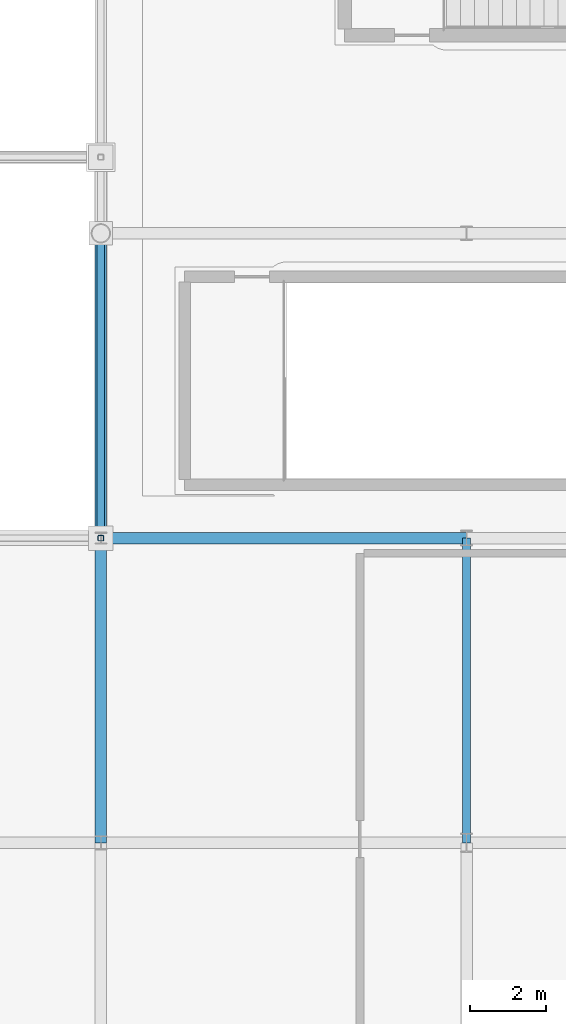
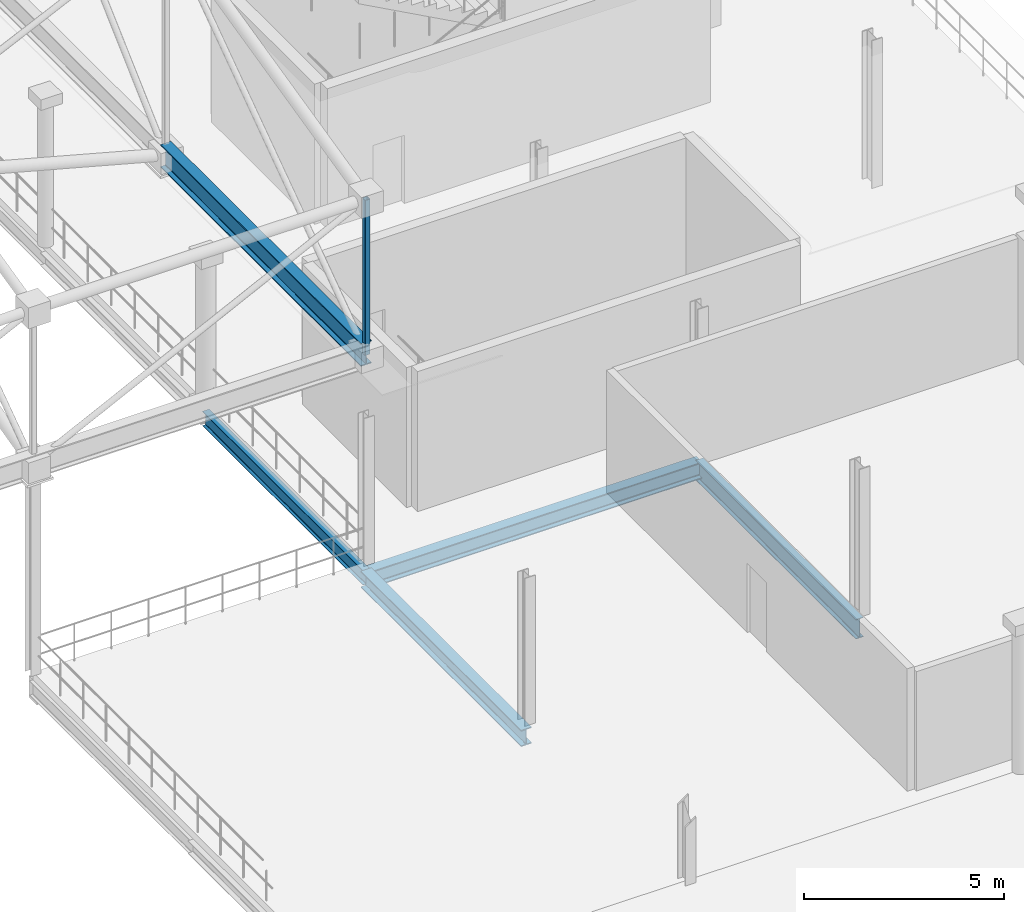
# One storey, part 84 of 193: 5 beams, 1 member.
"""IFC4 building model written with IfcOpenShell, lengths in metres."""

from ifc_helpers import new_model, si_unit, direction, frame, origin, origin_2d, place, context, subcontext, project, spatial, hollow_rectangle, i_section, extrude, material, material_profile, profile_set, type_object, element, save


model = new_model("IFC4")

# Units and contexts
model_context = context("Model", 3, precision=1e-05, world=origin(), true_north=direction((0.0, 1.0)))
body_context = subcontext(model_context, "Body", "Model", "MODEL_VIEW")
ifc_project = project(units=[si_unit("LENGTHUNIT", "METRE"), si_unit("AREAUNIT", "SQUARE_METRE"), si_unit("VOLUMEUNIT", "CUBIC_METRE"), si_unit("PLANEANGLEUNIT", "RADIAN"), si_unit("MASSUNIT", "GRAM", prefix="KILO")], contexts=[model_context])

# Site, building, storey
site_placement = place(None, origin())
site = spatial("IfcSite", under=ifc_project, at=site_placement, CompositionType="ELEMENT")
building_placement = place(site_placement, origin())
building = spatial("IfcBuilding", under=site, at=building_placement, Name="Danafjord Basin Convention Centre", CompositionType="ELEMENT")
storey_placement = place(building_placement, frame((0.0, 0.0, 11.39990234375)))
storey = spatial("IfcBuildingStorey", under=building, at=storey_placement, Name="L02", CompositionType="ELEMENT", Elevation=11.39990234375)

# Beams
ifc_material = material(Name="Steel S355", Category="steel")
ifc_material_profile_1 = material_profile(ifc_material, i_section(OverallWidth=0.300048828125, OverallDepth=0.5, WebThickness=0.014404296875, FlangeThickness=0.028076171875, FilletRadius=0.027099609375, at=origin_2d()), Name="HEB 500")
ifc_profile_set_1 = profile_set([ifc_material_profile_1], Name="Steel S355")
beam_type_1 = type_object("IfcBeamType", Name="BEAM-BM-HEB500", PredefinedType="BEAM", material=ifc_profile_set_1)
beam_1_placement = place(storey_placement, frame((192.0, 40.0, -0.47998046875), z_axis=(1.0, 0.0, 0.0), x_axis=(0.0, 1.0, 0.0)))
element("IfcBeam", 1, at=beam_1_placement, inside=storey, type_object=beam_type_1, Name="L02 girder BM-HEB500", PredefinedType="BEAM", context=body_context, shape_type="SweptSolid", body=[
    extrude(i_section(OverallWidth=0.300048828125, OverallDepth=0.5, WebThickness=0.014404296875, FlangeThickness=0.028076171875, FilletRadius=0.027099609375, at=origin_2d()), origin(), (0.0, 0.0, 1.0), 9.60009765625),
])
beam_2_placement = place(storey_placement, frame((192.0, 32.0, -0.47998046875), z_axis=(0.0, 1.0, 0.0), x_axis=(-1.0, 0.0, 0.0)))
element("IfcBeam", 2, at=beam_2_placement, inside=storey, type_object=beam_type_1, Name="L02 transverse girder BM-HEB500", PredefinedType="BEAM", context=body_context, shape_type="SweptSolid", body=[
    extrude(i_section(OverallWidth=0.300048828125, OverallDepth=0.5, WebThickness=0.014404296875, FlangeThickness=0.028076171875, FilletRadius=0.027099609375, at=origin_2d()), origin(), (0.0, 0.0, 1.0), 8.0),
])
ifc_material_profile_2 = material_profile(ifc_material, i_section(OverallWidth=0.300048828125, OverallDepth=0.699951171875, WebThickness=0.01708984375, FlangeThickness=0.031982421875, FilletRadius=0.027099609375, at=origin_2d()), Name="HEB 700")
ifc_profile_set_2 = profile_set([ifc_material_profile_2], Name="Steel S355")
beam_type_2 = type_object("IfcBeamType", Name="BEAM-BM-HEB700", PredefinedType="BEAM", material=ifc_profile_set_2)
beam_3_placement = place(storey_placement, frame((192.0, 40.0, 6.35009765625), z_axis=(0.0, 1.0, 0.0), x_axis=(-1.0, 0.0, 0.0)))
element("IfcBeam", 3, at=beam_3_placement, inside=storey, type_object=beam_type_2, Name="V3 space-frame perimeter ring girder", PredefinedType="BEAM", context=body_context, shape_type="SweptSolid", body=[
    extrude(i_section(OverallWidth=0.300048828125, OverallDepth=0.699951171875, WebThickness=0.01708984375, FlangeThickness=0.031982421875, FilletRadius=0.027099609375, at=origin_2d()), origin(), (0.0, 0.0, 1.0), 10.0),
])
ifc_material_profile_3 = material_profile(ifc_material, i_section(OverallWidth=0.219970703125, OverallDepth=0.60009765625, WebThickness=0.011962890625, FlangeThickness=0.01904296875, FilletRadius=0.02392578125, at=origin_2d()), Name="IPE 600")
ifc_profile_set_3 = profile_set([ifc_material_profile_3], Name="Steel S355")
beam_type_3 = type_object("IfcBeamType", Name="BEAM-BM-IPE600", PredefinedType="BEAM", material=ifc_profile_set_3)
beam_4_placement = place(storey_placement, frame((201.60009765625, 32.0, -0.52978515625), z_axis=(0.0, 1.0, 0.0), x_axis=(-1.0, 0.0, 0.0)))
element("IfcBeam", 4, at=beam_4_placement, inside=storey, type_object=beam_type_3, Name="L02 transverse girder BM-IPE600", PredefinedType="BEAM", context=body_context, shape_type="SweptSolid", body=[
    extrude(i_section(OverallWidth=0.219970703125, OverallDepth=0.60009765625, WebThickness=0.011962890625, FlangeThickness=0.01904296875, FilletRadius=0.02392578125, at=origin_2d()), origin(), (0.0, 0.0, 1.0), 8.0),
])
ifc_material_profile_4 = material_profile(ifc_material, i_section(OverallWidth=0.18994140625, OverallDepth=0.449951171875, WebThickness=0.009521484375, FlangeThickness=0.0146484375, FilletRadius=0.02099609375, at=origin_2d()), Name="IPE 450")
ifc_profile_set_4 = profile_set([ifc_material_profile_4], Name="Steel S355")
beam_type_4 = type_object("IfcBeamType", Name="BEAM-SP-IPE450", PredefinedType="SPANDREL", material=ifc_profile_set_4)
beam_5_placement = place(storey_placement, frame((192.0, 40.0, -0.454833984375), z_axis=(0.0, 1.0, 0.0), x_axis=(-1.0, 0.0, 0.0)))
element("IfcBeam", 5, at=beam_5_placement, inside=storey, type_object=beam_type_4, Name="L02 transverse girder SP-IPE450", PredefinedType="SPANDREL", context=body_context, shape_type="SweptSolid", body=[
    extrude(i_section(OverallWidth=0.18994140625, OverallDepth=0.449951171875, WebThickness=0.009521484375, FlangeThickness=0.0146484375, FilletRadius=0.02099609375, at=origin_2d()), origin(), (0.0, 0.0, 1.0), 8.0),
])

# Member
ifc_material_profile_5 = material_profile(ifc_material, hollow_rectangle(XDim=0.14990234375, YDim=0.14990234375, WallThickness=0.008056640625, InnerFilletRadius=0.011962890625, OuterFilletRadius=0.02001953125, at=origin_2d()), Name="SHS 150x150x8.0")
ifc_profile_set_5 = profile_set([ifc_material_profile_5], Name="Steel S355")
member_type = type_object("IfcMemberType", Name="MEM-ST-SHS150", PredefinedType="STRUT", material=ifc_profile_set_5)
member_placement = place(storey_placement, frame((192.0, 40.0, 6.35009765625), z_axis=(0.0, 0.0, 1.0), x_axis=(1.0, 0.0, 0.0)))
element("IfcMember", 6, at=member_placement, inside=storey, type_object=member_type, Name="V3 roof truss vertical strut", PredefinedType="STRUT", context=body_context, shape_type="SweptSolid", body=[
    extrude(hollow_rectangle(XDim=0.14990234375, YDim=0.14990234375, WallThickness=0.008056640625, InnerFilletRadius=0.011962890625, OuterFilletRadius=0.02001953125, at=origin_2d()), origin(), (0.0, 0.0, 1.0), 4.72509765625),
])

save(model, "model.ifc")
